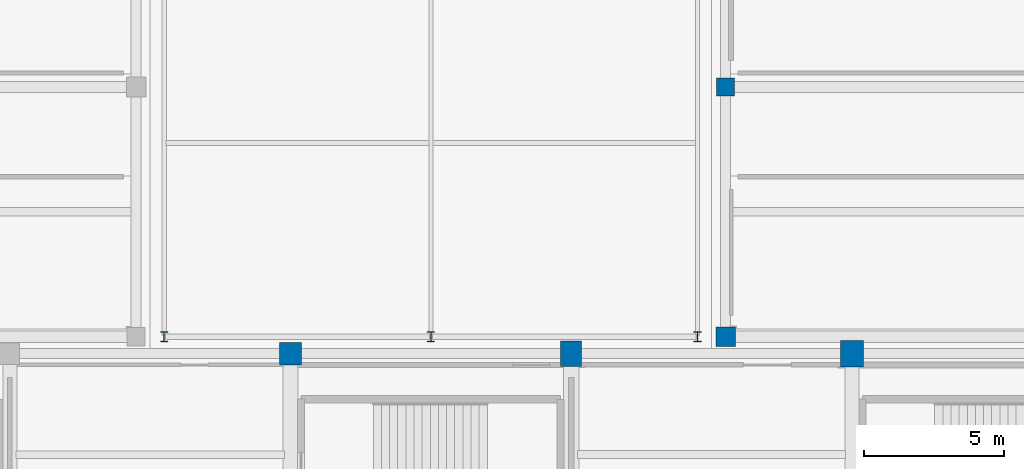
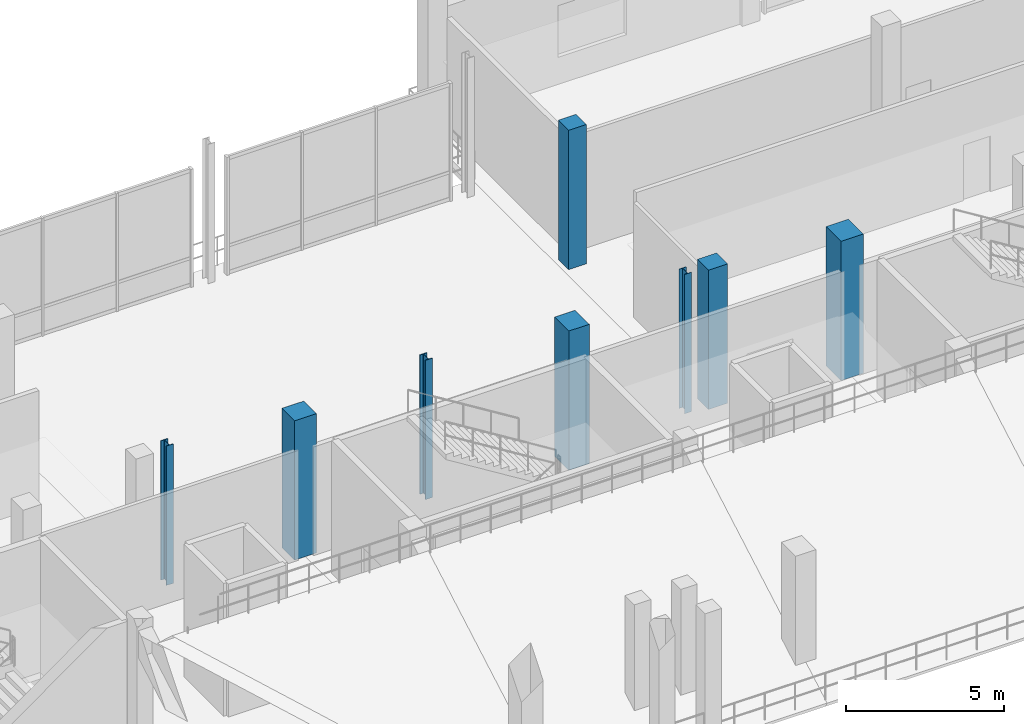
# One storey, part 7 of 127: 8 columns.
"""IFC4 building model written with IfcOpenShell, lengths in metres."""

from ifc_helpers import new_model, si_unit, direction, frame, origin, origin_2d, place, context, subcontext, project, spatial, rectangle, i_section, extrude, material, material_profile, profile_set, type_object, element, save


model = new_model("IFC4")

# Units and contexts
model_context = context("Model", 3, precision=1e-05, world=origin(), true_north=direction((0.0, 1.0)))
body_context = subcontext(model_context, "Body", "Model", "MODEL_VIEW")
ifc_project = project(units=[si_unit("LENGTHUNIT", "METRE"), si_unit("AREAUNIT", "SQUARE_METRE"), si_unit("VOLUMEUNIT", "CUBIC_METRE"), si_unit("PLANEANGLEUNIT", "RADIAN"), si_unit("MASSUNIT", "GRAM", prefix="KILO")], contexts=[model_context])

# Site, building, storey
site_placement = place(None, origin())
site = spatial("IfcSite", under=ifc_project, at=site_placement, CompositionType="ELEMENT")
building_placement = place(site_placement, origin())
building = spatial("IfcBuilding", under=site, at=building_placement, Name="Candeia Ridge Stadium", CompositionType="ELEMENT")
storey_placement = place(building_placement, frame((0.0, 0.0, 10.800048828125)))
storey = spatial("IfcBuildingStorey", under=building, at=storey_placement, Name="L02", CompositionType="ELEMENT", Elevation=10.800048828125)

# Columns
ifc_material_1 = material(Name="Concrete C45/55", Category="concrete")
ifc_material_profile_1 = material_profile(ifc_material_1, rectangle(XDim=0.800048828125, YDim=0.800048828125, at=origin_2d()), Name="RC800x800", Category="concrete")
ifc_profile_set_1 = profile_set([ifc_material_profile_1], Name="Concrete C45/55")
column_type_1 = type_object("IfcColumnType", Name="Bowl Column RC800x800", PredefinedType="COLUMN", material=ifc_profile_set_1)
column_1_placement = place(storey_placement, frame((101.0, 147.0, 0.0), z_axis=(0.0, 0.0, 1.0), x_axis=(1.0, 0.0, 0.0)))
element("IfcColumn", 1, at=column_1_placement, inside=storey, type_object=column_type_1, Name="Structural column BC-OU-04 L02", PredefinedType="COLUMN", context=body_context, shape_type="SweptSolid", body=[
    extrude(rectangle(XDim=0.800048828125, YDim=0.800048828125, at=origin_2d()), origin(), (0.0, 0.0, 1.0), 5.39990234375),
])
ifc_material_2 = material(Name="Steel ASTM A572 Grade 50", Category="steel")
ifc_material_profile_2 = material_profile(ifc_material_2, i_section(OverallWidth=0.257080078125, OverallDepth=0.363037109375, WebThickness=0.012939453125, FlangeThickness=0.021728515625, FilletRadius=0.014892578125, at=origin_2d()), Name="W360x122", Category="steel")
ifc_profile_set_2 = profile_set([ifc_material_profile_2], Name="Steel ASTM A572 Grade 50")
column_type_2 = type_object("IfcColumnType", Name="Gate Steel Column W360x122", PredefinedType="COLUMN", material=ifc_profile_set_2)
for number, where, z_axis, x_axis, name in (
    (2, (96.5, 147.60009765625, 0.0), (0.0, 0.0, 1.0), (1.0, 0.0, 0.0), "Structural column NG-00-00 L02"),
    (3, (106.0, 147.60009765625, 0.0), (0.0, 0.0, 1.0), (1.0, 0.0, 0.0), "Structural column NG-01-00 L02"),
    (4, (115.5, 147.60009765625, 0.0), (0.0, 0.0, 1.0), (1.0, 0.0, 0.0), "Structural column NG-02-00 L02"),
):
    element("IfcColumn", number, at=place(storey_placement, frame(where, z_axis=z_axis, x_axis=x_axis)), inside=storey, type_object=column_type_2, Name=name, PredefinedType="COLUMN", context=body_context, shape_type="SweptSolid", body=[
        extrude(i_section(OverallWidth=0.257080078125, OverallDepth=0.363037109375, WebThickness=0.012939453125, FlangeThickness=0.021728515625, FilletRadius=0.014892578125, at=origin_2d()), origin(), (0.0, 0.0, 1.0), 5.39990234375),
    ])
ifc_material_profile_3 = material_profile(ifc_material_1, rectangle(XDim=0.820068359375, YDim=0.949951171875, at=origin_2d()), Name="RC820x950", Category="concrete")
ifc_profile_set_3 = profile_set([ifc_material_profile_3], Name="Concrete C45/55")
column_type_3 = type_object("IfcColumnType", Name="Graduated Frame Column RC820x950", PredefinedType="COLUMN", material=ifc_profile_set_3)
column_2_placement = place(storey_placement, frame((121.0, 147.0, 0.0), z_axis=(0.0, 0.0, 1.0), x_axis=(1.0, 0.0, 0.0)))
element("IfcColumn", 5, at=column_2_placement, inside=storey, type_object=column_type_3, Name="Structural column BC-OU-02 L02", PredefinedType="COLUMN", context=body_context, shape_type="SweptSolid", body=[
    extrude(rectangle(XDim=0.820068359375, YDim=0.949951171875, at=origin_2d()), origin(), (0.0, 0.0, 1.0), 5.39990234375),
])
ifc_material_3 = material(Name="Concrete C40/50", Category="concrete")
ifc_material_profile_4 = material_profile(ifc_material_3, rectangle(XDim=0.64990234375, YDim=0.64990234375, at=origin_2d()), Name="RC650x650", Category="concrete")
ifc_profile_set_4 = profile_set([ifc_material_profile_4], Name="Concrete C40/50")
column_type_4 = type_object("IfcColumnType", Name="Reinforced Concrete Column RC650x650", PredefinedType="COLUMN", material=ifc_profile_set_4)
column_3_placement = place(storey_placement, frame((116.5, 156.5, 0.0), z_axis=(0.0, 0.0, 1.0), x_axis=(1.0, 0.0, 0.0)))
element("IfcColumn", 6, at=column_3_placement, inside=storey, type_object=column_type_4, Name="Structural column NWE-00-01 L02", PredefinedType="COLUMN", context=body_context, shape_type="SweptSolid", body=[
    extrude(rectangle(XDim=0.64990234375, YDim=0.64990234375, at=origin_2d()), origin(), (0.0, 0.0, 1.0), 5.39990234375),
])
ifc_material_profile_5 = material_profile(ifc_material_1, rectangle(XDim=0.75, YDim=0.89990234375, at=origin_2d()), Name="RC750x900", Category="concrete")
ifc_profile_set_5 = profile_set([ifc_material_profile_5], Name="Concrete C45/55")
column_type_5 = type_object("IfcColumnType", Name="Reinforced Concrete Column RC750x900", PredefinedType="COLUMN", material=ifc_profile_set_5)
column_4_placement = place(storey_placement, frame((111.0, 147.0, 0.0), z_axis=(0.0, 0.0, 1.0), x_axis=(1.0, 0.0, 0.0)))
element("IfcColumn", 7, at=column_4_placement, inside=storey, type_object=column_type_5, Name="Structural column BC-OU-03 L02", PredefinedType="COLUMN", context=body_context, shape_type="SweptSolid", body=[
    extrude(rectangle(XDim=0.75, YDim=0.89990234375, at=origin_2d()), origin(), (0.0, 0.0, 1.0), 5.39990234375),
])
ifc_material_profile_6 = material_profile(ifc_material_3, rectangle(XDim=0.699951171875, YDim=0.699951171875, at=origin_2d()), Name="RC700x700", Category="concrete")
ifc_profile_set_6 = profile_set([ifc_material_profile_6], Name="Concrete C40/50")
column_type_6 = type_object("IfcColumnType", Name="Wing Column RC700x700", PredefinedType="COLUMN", material=ifc_profile_set_6)
column_5_placement = place(storey_placement, frame((116.5, 147.60009765625, 0.0), z_axis=(0.0, 0.0, 1.0), x_axis=(1.0, 0.0, 0.0)))
element("IfcColumn", 8, at=column_5_placement, inside=storey, type_object=column_type_6, Name="Structural column NWE-00-00 L02", PredefinedType="COLUMN", context=body_context, shape_type="SweptSolid", body=[
    extrude(rectangle(XDim=0.699951171875, YDim=0.699951171875, at=origin_2d()), origin(), (0.0, 0.0, 1.0), 5.39990234375),
])

save(model, "model.ifc")
